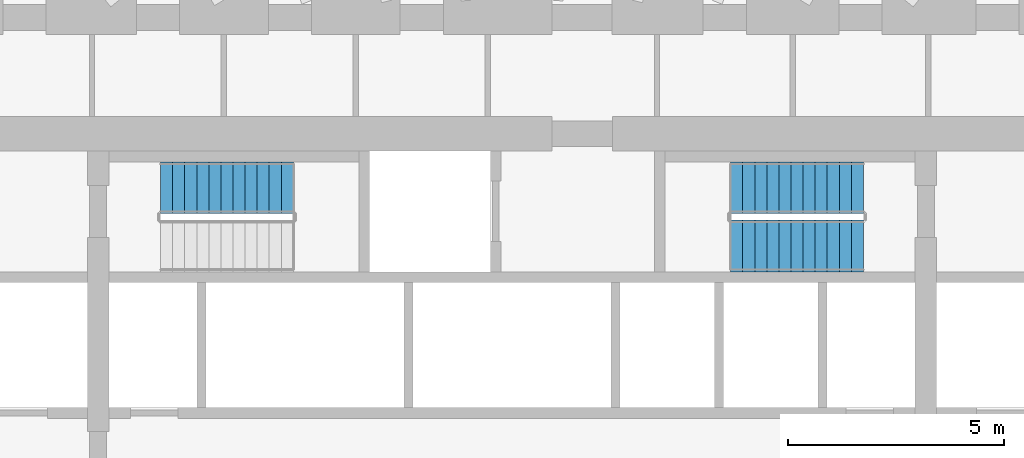
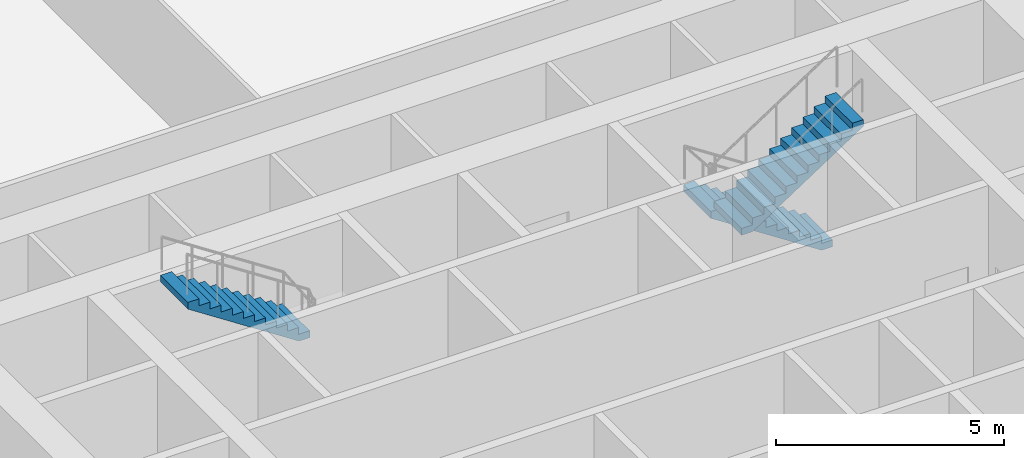
# One storey, part 9 of 13: 3 stair flights, 2 elements without a shape of their own.
"""IFC4 building model written with IfcOpenShell, lengths in metres."""

import ifcopenshell
import ifcopenshell.guid

model = None  # the IFC model being written
_history = None  # IfcOwnerHistory: only IFC2X3 demands one
_inside = {}  # id of a spatial element -> (the spatial element, [elements in it])
_under = {}  # id of a project, library or spatial element -> (it, [spatial elements below it])
_declared = {}  # id of a project -> (the project, [libraries it declares])
_typed = {}  # id of a type object -> (the type object, [elements of that type])
_made_of = {}  # id of a material, layer set ... -> (it, [elements and type objects made of it])


def new_model(schema):
    """Start an empty IFC model of exactly this schema.

    Asked for "IFC4X3", IfcOpenShell would pick the latest addendum, in which some entities
    have other attributes; the version numbers below select the first issue.
    IFC2X3 requires an IfcOwnerHistory on every rooted entity: one is made here for all.
    """
    global model, _history
    if schema == "IFC4X3":
        model = ifcopenshell.file(schema_version=(4, 3, 0, 0))
    else:
        model = ifcopenshell.file(schema=schema)
    _inside.clear()
    _under.clear()
    _declared.clear()
    _typed.clear()
    _made_of.clear()
    _history = None
    if model.schema == "IFC2X3":
        org = make("IfcOrganization", Name="unknown")
        user = make(
            "IfcPersonAndOrganization",
            ThePerson=make("IfcPerson", FamilyName="unknown"),
            TheOrganization=org,
        )
        app = make(
            "IfcApplication",
            ApplicationDeveloper=org,
            Version="unknown",
            ApplicationFullName="unknown",
            ApplicationIdentifier="unknown",
        )
        _history = make(
            "IfcOwnerHistory",
            OwningUser=user,
            OwningApplication=app,
            ChangeAction="ADDED",
            CreationDate=0,
        )
    return model


def make(cls, **values):
    """One entity of the class cls with the attributes given. An attribute that is None is left unset."""
    return model.create_entity(
        cls, **{name: value for name, value in values.items() if value is not None}
    )


def rooted(cls, **values):
    """An entity with a GlobalId (a new one), such as an element, a storey or a relation."""
    return make(cls, GlobalId=ifcopenshell.guid.new(), OwnerHistory=_history, **values)


def si_unit(unit_type, name, prefix=None):
    """IfcSIUnit, for example si_unit("LENGTHUNIT", "METRE", prefix="MILLI")."""
    return make("IfcSIUnit", UnitType=unit_type, Prefix=prefix, Name=name)


def assignment(units):
    """IfcUnitAssignment: the units of a project."""
    return None if units is None else make("IfcUnitAssignment", Units=units)


def point(xyz):
    """IfcCartesianPoint."""
    return None if xyz is None else make("IfcCartesianPoint", Coordinates=xyz)


def direction(xyz):
    """IfcDirection."""
    return None if xyz is None else make("IfcDirection", DirectionRatios=xyz)


def frame(location, z_axis=None, x_axis=None):
    """IfcAxis2Placement3D, a coordinate frame: its origin and axes. An axis left out is left unset."""
    return make(
        "IfcAxis2Placement3D",
        Location=point(location),
        Axis=direction(z_axis),
        RefDirection=direction(x_axis),
    )


def origin():
    """The frame at (0, 0, 0) with its axes left unset."""
    return frame((0.0, 0.0, 0.0))


def place(relative_to, where):
    """IfcLocalPlacement: puts the frame where relative to a parent placement (None: the world)."""
    return make(
        "IfcLocalPlacement", PlacementRelTo=relative_to, RelativePlacement=where
    )


def context(
    kind, dimensions, precision=None, world=None, true_north=None, identifier=None
):
    """IfcGeometricRepresentationContext, for example the 3D "Model" context."""
    return make(
        "IfcGeometricRepresentationContext",
        ContextIdentifier=identifier,
        ContextType=kind,
        CoordinateSpaceDimension=dimensions,
        Precision=precision,
        WorldCoordinateSystem=world,
        TrueNorth=true_north,
    )


def subcontext(parent, identifier, kind, view, scale=None):
    """IfcGeometricRepresentationSubContext, for example "Body" below "Model"."""
    return make(
        "IfcGeometricRepresentationSubContext",
        ContextIdentifier=identifier,
        ContextType=kind,
        ParentContext=parent,
        TargetScale=scale,
        TargetView=view,
    )


def project(units=None, contexts=None):
    """IfcProject with its units and contexts."""
    return rooted(
        "IfcProject",
        Name="project",
        RepresentationContexts=contexts,
        UnitsInContext=assignment(units),
    )


def spatial(cls, under=None, at=None, **own):
    """A site, building, storey or space (cls), placed at a placement, below another one or the project."""
    s = rooted(cls, ObjectPlacement=at, **own)
    if under is not None:
        _under.setdefault(under.id(), (under, []))[1].append(s)
    return s


def polyline(points):
    """IfcPolyline through the points."""
    return make("IfcPolyline", Points=[point(p) for p in points])


def outline(outer, holes=None, kind="AREA"):
    """IfcArbitraryClosedProfileDef: a profile drawn as a closed curve; with holes, ...WithVoids."""
    if holes is None:
        return make("IfcArbitraryClosedProfileDef", ProfileType=kind, OuterCurve=outer)
    return make(
        "IfcArbitraryProfileDefWithVoids",
        ProfileType=kind,
        OuterCurve=outer,
        InnerCurves=holes,
    )


def extrude(swept, where, along, depth):
    """IfcExtrudedAreaSolid: the profile swept, set in the frame where, extruded along a direction by depth."""
    return make(
        "IfcExtrudedAreaSolid",
        SweptArea=swept,
        Position=where,
        ExtrudedDirection=direction(along),
        Depth=depth,
    )


def shape(context_of_items, identifier, shape_type, items):
    """IfcShapeRepresentation: the items that make up one representation, for example the "Body"."""
    return make(
        "IfcShapeRepresentation",
        ContextOfItems=context_of_items,
        RepresentationIdentifier=identifier,
        RepresentationType=shape_type,
        Items=items,
    )


def material(Name=None, Category=None):
    """IfcMaterial."""
    return make("IfcMaterial", Name=Name, Category=Category)


def layer(
    of_material, thickness, ventilated=None, Name=None, Category=None, Priority=None
):
    """IfcMaterialLayer: one layer of a wall or slab, of a material (None: an air gap)."""
    return make(
        "IfcMaterialLayer",
        Material=of_material,
        LayerThickness=thickness,
        IsVentilated=ventilated,
        Name=Name,
        Category=Category,
        Priority=Priority,
    )


def layer_set(layers, Name=None):
    """IfcMaterialLayerSet."""
    return make("IfcMaterialLayerSet", MaterialLayers=layers, LayerSetName=Name)


def made_of(thing, what):
    """Note that an element or type object is made of a material, layer set ...; save() writes the relation."""
    if what is not None:
        _made_of.setdefault(what.id(), (what, []))[1].append(thing)
    return thing


def type_object(cls, material=None, **own):
    """A type object (cls), such as IfcWallType, which elements share."""
    return made_of(rooted(cls, **own), material)


def element(
    cls,
    number,
    at=None,
    inside=None,
    cuts=None,
    type_object=None,
    material=None,
    context=None,
    identifier="Body",
    shape_type=None,
    held_by="IfcProductDefinitionShape",
    body=None,
    shapes=None,
    **own,
):
    """One element of the class cls, such as IfcWall. Its Tag is "e" and its number.

    at: its placement. inside: the storey or other place that contains it. cuts: it is an
    opening in that element (IfcRelVoidsElement). A single representation is given by context,
    identifier, shape_type and body (its items); several are given by shapes. held_by: the class
    of the entity that holds the representations. save() writes the other relations.
    """
    e = rooted(cls, Tag="e%d" % number, ObjectPlacement=at, **own)
    if body is not None:
        shapes = [shape(context, identifier, shape_type, body)]
    if shapes is not None:
        e.Representation = make(held_by, Representations=shapes)
    if inside is not None:
        _inside.setdefault(inside.id(), (inside, []))[1].append(e)
    if cuts is not None:
        rooted(
            "IfcRelVoidsElement", RelatingBuildingElement=cuts, RelatedOpeningElement=e
        )
    if type_object is not None:
        _typed.setdefault(type_object.id(), (type_object, []))[1].append(e)
    return made_of(e, material)


def aggregate(whole, parts):
    """IfcRelAggregates: a whole, such as a stair, and the parts it consists of."""
    return rooted("IfcRelAggregates", RelatingObject=whole, RelatedObjects=parts)


def save(model, path):
    """Write the relations noted so far, then the file.

    IfcRelAggregates (storeys below a building ...), IfcRelContainedInSpatialStructure (elements
    in a storey), IfcRelDefinesByType, IfcRelAssociatesMaterial and IfcRelDeclares: one each for
    every whole, place, type object, material and project.
    """
    for whole, parts in _under.values():
        aggregate(whole, parts)
    for where, things in _inside.values():
        rooted(
            "IfcRelContainedInSpatialStructure",
            RelatedElements=things,
            RelatingStructure=where,
        )
    for kind, things in _typed.values():
        rooted("IfcRelDefinesByType", RelatedObjects=things, RelatingType=kind)
    for what, things in _made_of.values():
        rooted("IfcRelAssociatesMaterial", RelatedObjects=things, RelatingMaterial=what)
    for by, libraries in _declared.values():
        rooted("IfcRelDeclares", RelatingContext=by, RelatedDefinitions=libraries)
    model.write(path)


model = new_model("IFC4")

# Units and contexts
model_context = context("Model", 3, precision=1e-05, world=origin(), true_north=direction((0.0, 1.0)))
body_context = subcontext(model_context, "Body", "Model", "MODEL_VIEW")
ifc_project = project(units=[si_unit("LENGTHUNIT", "METRE"), si_unit("AREAUNIT", "SQUARE_METRE"), si_unit("VOLUMEUNIT", "CUBIC_METRE"), si_unit("PLANEANGLEUNIT", "RADIAN"), si_unit("MASSUNIT", "GRAM", prefix="KILO")], contexts=[model_context])

# Site, building, storey
site_placement = place(None, origin())
site = spatial("IfcSite", under=ifc_project, at=site_placement, CompositionType="ELEMENT")
building_placement = place(site_placement, origin())
building = spatial("IfcBuilding", under=site, at=building_placement, Name="Frailejon Research Tower", CompositionType="ELEMENT")
storey_placement = place(building_placement, frame((0.0, 0.0, 94.0)))
storey = spatial("IfcBuildingStorey", under=building, at=storey_placement, Name="L20", CompositionType="ELEMENT", Elevation=94.0)

# Stair, stair flight
ifc_material_1 = material(Name="Concrete C50/60", Category="concrete")
stair_type = type_object("IfcStairType", Name="Exit stair 24 risers", PredefinedType="HALF_TURN_STAIR", material=ifc_material_1)
stair_1_placement = place(storey_placement, origin())
stair_1 = element("IfcStair", 1, at=stair_1_placement, inside=storey, type_object=stair_type, Name="L20 Exit stair ST1", PredefinedType="HALF_TURN_STAIR")
ifc_material_2 = material(Name="Concrete C50/60", Category="concrete")
ifc_layer = layer(ifc_material_2, 0.14990234375)
ifc_layer_set = layer_set([ifc_layer], Name="Stair flight 12 risers")
stair_flight_type = type_object("IfcStairFlightType", Name="Stair flight 12 risers", PredefinedType="STRAIGHT", material=ifc_layer_set)
stair_flight_1_placement = place(storey_placement, frame((-5.070068359375, 6.85009765625, 2.199951171875), z_axis=(0.0, 0.0, 1.0), x_axis=(-1.0, 0.0, 0.0)))
stair_flight_1 = element("IfcStairFlight", 2, at=stair_flight_1_placement, type_object=stair_flight_type, Name="ST1 flight 2", NumberOfRisers=12, NumberOfTreads=11, PredefinedType="STRAIGHT", RiserHeight=0.183333333, TreadLength=0.28, context=body_context, shape_type="SweptSolid", body=[
    extrude(outline(polyline([(0.0, 0.0), (0.0, 0.183349609375), (0.280029296875, 0.183349609375), (0.280029296875, 0.36669921875), (0.56005859375, 0.36669921875), (0.56005859375, 0.550048828125), (0.840087890625, 0.550048828125), (0.840087890625, 0.7333984375), (1.1201171875, 0.7333984375), (1.1201171875, 0.916748046875), (1.39990234375, 0.916748046875), (1.39990234375, 1.10009765625), (1.679931640625, 1.10009765625), (1.679931640625, 1.283447265625), (1.9599609375, 1.283447265625), (1.9599609375, 1.466552734375), (2.239990234375, 1.466552734375), (2.239990234375, 1.64990234375), (2.52001953125, 1.64990234375), (2.52001953125, 1.833251953125), (2.800048828125, 1.833251953125), (2.800048828125, 2.0166015625), (3.080078125, 2.0166015625), (3.080078125, 2.199951171875), (3.080078125, 1.83740234375), (0.273681640625, 0.0), (0.0, 0.0)])), frame((0.0, 0.60009765625, 0.0), z_axis=(0.0, -1.0, 0.0), x_axis=(1.0, 0.0, 0.0)), (0.0, 0.0, 1.0), 1.199951171875),
])
aggregate(stair_1, [stair_flight_1])

# Stair, stair flights
stair_2_placement = place(storey_placement, origin())
stair_2 = element("IfcStair", 3, at=stair_2_placement, inside=storey, type_object=stair_type, Name="L20 Exit stair ST3", PredefinedType="HALF_TURN_STAIR")
stair_flight_2_placement = place(storey_placement, frame((8.14990234375, 6.85009765625, 0.0), z_axis=(0.0, 0.0, 1.0), x_axis=(-1.0, 0.0, 0.0)))
stair_flight_2 = element("IfcStairFlight", 4, at=stair_flight_2_placement, type_object=stair_flight_type, Name="ST3 flight 1", NumberOfRisers=12, NumberOfTreads=11, PredefinedType="STRAIGHT", RiserHeight=0.183333333, TreadLength=0.28, context=body_context, shape_type="SweptSolid", body=[
    extrude(outline(polyline([(0.0, 0.0), (0.0, 0.183349609375), (0.280029296875, 0.183349609375), (0.280029296875, 0.36669921875), (0.56005859375, 0.36669921875), (0.56005859375, 0.550048828125), (0.840087890625, 0.550048828125), (0.840087890625, 0.7333984375), (1.1201171875, 0.7333984375), (1.1201171875, 0.916748046875), (1.39990234375, 0.916748046875), (1.39990234375, 1.10009765625), (1.679931640625, 1.10009765625), (1.679931640625, 1.283447265625), (1.9599609375, 1.283447265625), (1.9599609375, 1.466552734375), (2.239990234375, 1.466552734375), (2.239990234375, 1.64990234375), (2.52001953125, 1.64990234375), (2.52001953125, 1.833251953125), (2.800048828125, 1.833251953125), (2.800048828125, 2.0166015625), (3.080078125, 2.0166015625), (3.080078125, 2.199951171875), (3.080078125, 1.83740234375), (0.273681640625, 0.0), (0.0, 0.0)])), frame((0.0, 0.60009765625, 0.0), z_axis=(0.0, -1.0, 0.0), x_axis=(1.0, 0.0, 0.0)), (0.0, 0.0, 1.0), 1.199951171875),
])
stair_flight_3_placement = place(storey_placement, frame((5.070068359375, 5.5, 2.199951171875), z_axis=(0.0, 0.0, 1.0), x_axis=(1.0, 0.0, 0.0)))
stair_flight_3 = element("IfcStairFlight", 5, at=stair_flight_3_placement, type_object=stair_flight_type, Name="ST3 flight 2", NumberOfRisers=12, NumberOfTreads=11, PredefinedType="STRAIGHT", RiserHeight=0.183333333, TreadLength=0.28, context=body_context, shape_type="SweptSolid", body=[
    extrude(outline(polyline([(0.0, 0.0), (0.0, 0.183349609375), (0.280029296875, 0.183349609375), (0.280029296875, 0.36669921875), (0.56005859375, 0.36669921875), (0.56005859375, 0.550048828125), (0.840087890625, 0.550048828125), (0.840087890625, 0.7333984375), (1.1201171875, 0.7333984375), (1.1201171875, 0.916748046875), (1.39990234375, 0.916748046875), (1.39990234375, 1.10009765625), (1.679931640625, 1.10009765625), (1.679931640625, 1.283447265625), (1.9599609375, 1.283447265625), (1.9599609375, 1.466552734375), (2.239990234375, 1.466552734375), (2.239990234375, 1.64990234375), (2.52001953125, 1.64990234375), (2.52001953125, 1.833251953125), (2.800048828125, 1.833251953125), (2.800048828125, 2.0166015625), (3.080078125, 2.0166015625), (3.080078125, 2.199951171875), (3.080078125, 1.83740234375), (0.273681640625, 0.0), (0.0, 0.0)])), frame((0.0, 0.60009765625, 0.0), z_axis=(0.0, -1.0, 0.0), x_axis=(1.0, 0.0, 0.0)), (0.0, 0.0, 1.0), 1.199951171875),
])
aggregate(stair_2, [stair_flight_2, stair_flight_3])

save(model, "model.ifc")
